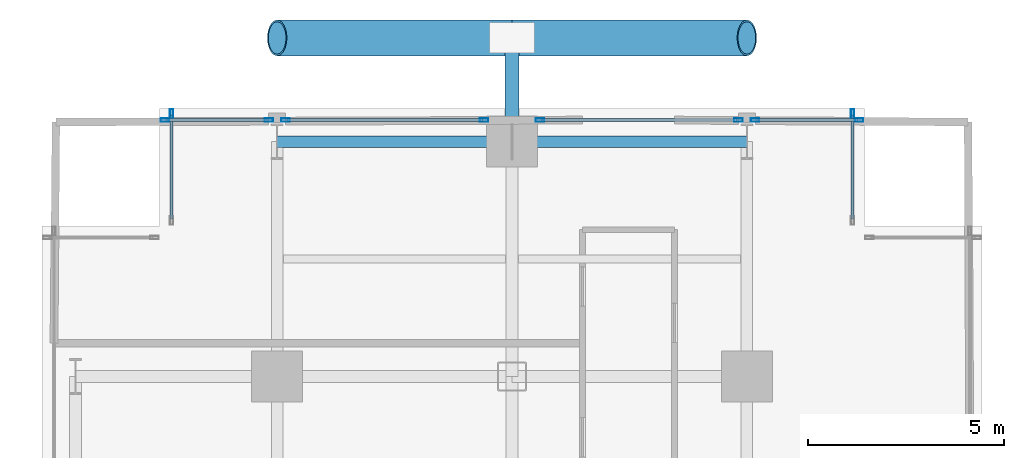
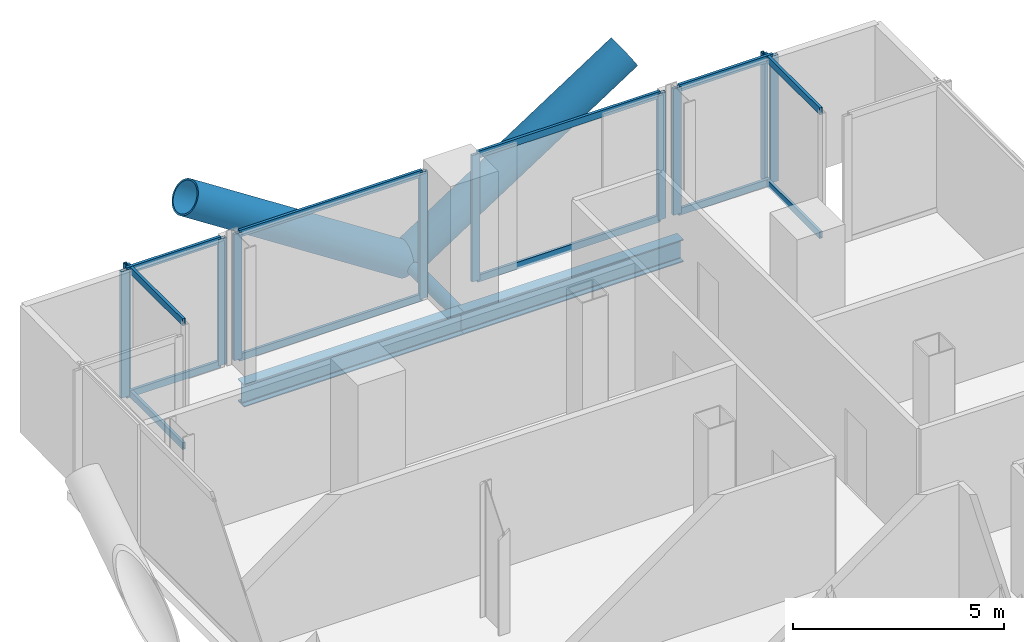
# One storey, part 16 of 25: 25 members, 2 beams, 6 elements without a shape of their own.
"""IFC4 building model written with IfcOpenShell, lengths in metres."""

from ifc_helpers import new_model, si_unit, direction, frame, origin, origin_2d, place, context, subcontext, project, spatial, hollow_rectangle, hollow_circle, i_section, extrude, material, layer, layer_set, material_profile, profile_set, type_object, element, aggregate, save


model = new_model("IFC4")

# Units and contexts
model_context = context("Model", 3, precision=1e-05, world=origin(), true_north=direction((0.0, 1.0)))
body_context = subcontext(model_context, "Body", "Model", "MODEL_VIEW")
ifc_project = project(units=[si_unit("LENGTHUNIT", "METRE"), si_unit("AREAUNIT", "SQUARE_METRE"), si_unit("VOLUMEUNIT", "CUBIC_METRE"), si_unit("PLANEANGLEUNIT", "RADIAN"), si_unit("MASSUNIT", "GRAM", prefix="KILO"), si_unit("THERMODYNAMICTEMPERATUREUNIT", "KELVIN"), si_unit("POWERUNIT", "WATT")], contexts=[model_context])

# Site, building, storey
site_placement = place(None, origin())
site = spatial("IfcSite", under=ifc_project, at=site_placement, CompositionType="ELEMENT")
building_placement = place(site_placement, origin())
building = spatial("IfcBuilding", under=site, at=building_placement, Name="Svarakhadi Broadcast Tower", CompositionType="ELEMENT")
storey_placement = place(building_placement, frame((0.0, 0.0, 67.5)))
storey = spatial("IfcBuildingStorey", under=building, at=storey_placement, Name="L15", CompositionType="ELEMENT", Elevation=67.5)

# Curtain wall, member
ifc_material_1 = material(Name="Anodised Bronze Aluminium AA 6063-T6", Category="aluminium")
ifc_layer = layer(ifc_material_1, 0.219970703125)
ifc_layer_set = layer_set([ifc_layer], Name="Anodised Bronze Aluminium AA 6063-T6")
curtain_wall_type = type_object("IfcCurtainWallType", Name="CW_Sys_02", PredefinedType="NOTDEFINED", material=ifc_layer_set)
curtain_wall_1_placement = place(storey_placement, origin())
curtain_wall_1 = element("IfcCurtainWall", 1, at=curtain_wall_1_placement, inside=storey, type_object=curtain_wall_type, Name="L15 Unitised Facade Curtain Wall 05", PredefinedType="NOTDEFINED")
ifc_material_profile_1 = material_profile(ifc_material_1, hollow_rectangle(XDim=0.0849609375, YDim=0.219970703125, WallThickness=0.006103515625, at=origin_2d()), Name="ALU MULLION 220x85x6")
ifc_profile_set_1 = profile_set([ifc_material_profile_1], Name="Anodised Bronze Aluminium AA 6063-T6")
member_type_1 = type_object("IfcMemberType", Name="CW_Sys_02_Mul", PredefinedType="MULLION", material=ifc_profile_set_1)
member_1_placement = place(storey_placement, frame((3.300048828125, 47.867431640625, 0.0), z_axis=(0.0, 0.0, 1.0), x_axis=(-1.0, 0.0, 0.0)))
member_1 = element("IfcMember", 2, at=member_1_placement, type_object=member_type_1, Name="CW-02 mullion 2", PredefinedType="MULLION", context=body_context, shape_type="SweptSolid", body=[
    extrude(hollow_rectangle(XDim=0.0849609375, YDim=0.219970703125, WallThickness=0.006103515625, at=origin_2d()), origin(), (0.0, 0.0, 1.0), 3.64990234375),
])

# Curtain wall, members
curtain_wall_2_placement = place(storey_placement, origin())
curtain_wall_2 = element("IfcCurtainWall", 3, at=curtain_wall_2_placement, inside=storey, type_object=curtain_wall_type, Name="L15 Unitised Facade Curtain Wall 06 Bay 1", PredefinedType="NOTDEFINED")
member_2_placement = place(storey_placement, frame((3.132568359375, 47.699951171875, 0.0), z_axis=(0.0, 0.0, 1.0), x_axis=(0.0, 1.0, 0.0)))
member_2 = element("IfcMember", 4, at=member_2_placement, type_object=member_type_1, Name="CW-02 mullion 1", PredefinedType="MULLION", context=body_context, shape_type="SweptSolid", body=[
    extrude(hollow_rectangle(XDim=0.0849609375, YDim=0.219970703125, WallThickness=0.006103515625, at=origin_2d()), origin(), (0.0, 0.0, 1.0), 3.64990234375),
])
member_3_placement = place(storey_placement, frame((5.78759765625, 47.699951171875, 0.0), z_axis=(0.0, 0.0, 1.0), x_axis=(0.0, 1.0, 0.0)))
member_3 = element("IfcMember", 5, at=member_3_placement, type_object=member_type_1, Name="CW-02 mullion 2", PredefinedType="MULLION", context=body_context, shape_type="SweptSolid", body=[
    extrude(hollow_rectangle(XDim=0.0849609375, YDim=0.219970703125, WallThickness=0.006103515625, at=origin_2d()), origin(), (0.0, 0.0, 1.0), 3.64990234375),
])

curtain_wall_3_placement = place(storey_placement, origin())
curtain_wall_3 = element("IfcCurtainWall", 6, at=curtain_wall_3_placement, inside=storey, type_object=curtain_wall_type, Name="L15 Unitised Facade Curtain Wall 06 Bay 2", PredefinedType="NOTDEFINED")
member_4_placement = place(storey_placement, frame((6.21240234375, 47.699951171875, 0.0), z_axis=(0.0, 0.0, 1.0), x_axis=(0.0, 1.0, 0.0)))
member_4 = element("IfcMember", 7, at=member_4_placement, type_object=member_type_1, Name="CW-02 mullion 1", PredefinedType="MULLION", context=body_context, shape_type="SweptSolid", body=[
    extrude(hollow_rectangle(XDim=0.0849609375, YDim=0.219970703125, WallThickness=0.006103515625, at=origin_2d()), origin(), (0.0, 0.0, 1.0), 3.64990234375),
])
member_5_placement = place(storey_placement, frame((11.28759765625, 47.699951171875, 0.0), z_axis=(0.0, 0.0, 1.0), x_axis=(0.0, 1.0, 0.0)))
member_5 = element("IfcMember", 8, at=member_5_placement, type_object=member_type_1, Name="CW-02 mullion 2", PredefinedType="MULLION", context=body_context, shape_type="SweptSolid", body=[
    extrude(hollow_rectangle(XDim=0.0849609375, YDim=0.219970703125, WallThickness=0.006103515625, at=origin_2d()), origin(), (0.0, 0.0, 1.0), 3.64990234375),
])

curtain_wall_4_placement = place(storey_placement, origin())
curtain_wall_4 = element("IfcCurtainWall", 9, at=curtain_wall_4_placement, inside=storey, type_object=curtain_wall_type, Name="L15 Unitised Facade Curtain Wall 06 Bay 3", PredefinedType="NOTDEFINED")
member_6_placement = place(storey_placement, frame((12.71240234375, 47.699951171875, 0.0), z_axis=(0.0, 0.0, 1.0), x_axis=(0.0, 1.0, 0.0)))
member_6 = element("IfcMember", 10, at=member_6_placement, type_object=member_type_1, Name="CW-02 mullion 1", PredefinedType="MULLION", context=body_context, shape_type="SweptSolid", body=[
    extrude(hollow_rectangle(XDim=0.0849609375, YDim=0.219970703125, WallThickness=0.006103515625, at=origin_2d()), origin(), (0.0, 0.0, 1.0), 3.64990234375),
])
member_7_placement = place(storey_placement, frame((17.78759765625, 47.699951171875, 0.0), z_axis=(0.0, 0.0, 1.0), x_axis=(0.0, 1.0, 0.0)))
member_7 = element("IfcMember", 11, at=member_7_placement, type_object=member_type_1, Name="CW-02 mullion 2", PredefinedType="MULLION", context=body_context, shape_type="SweptSolid", body=[
    extrude(hollow_rectangle(XDim=0.0849609375, YDim=0.219970703125, WallThickness=0.006103515625, at=origin_2d()), origin(), (0.0, 0.0, 1.0), 3.64990234375),
])

curtain_wall_5_placement = place(storey_placement, origin())
curtain_wall_5 = element("IfcCurtainWall", 12, at=curtain_wall_5_placement, inside=storey, type_object=curtain_wall_type, Name="L15 Unitised Facade Curtain Wall 06 Bay 4", PredefinedType="NOTDEFINED")
member_8_placement = place(storey_placement, frame((18.21240234375, 47.699951171875, 0.0), z_axis=(0.0, 0.0, 1.0), x_axis=(0.0, 1.0, 0.0)))
member_8 = element("IfcMember", 13, at=member_8_placement, type_object=member_type_1, Name="CW-02 mullion 1", PredefinedType="MULLION", context=body_context, shape_type="SweptSolid", body=[
    extrude(hollow_rectangle(XDim=0.0849609375, YDim=0.219970703125, WallThickness=0.006103515625, at=origin_2d()), origin(), (0.0, 0.0, 1.0), 3.64990234375),
])
member_9_placement = place(storey_placement, frame((20.867431640625, 47.699951171875, 0.0), z_axis=(0.0, 0.0, 1.0), x_axis=(0.0, 1.0, 0.0)))
member_9 = element("IfcMember", 14, at=member_9_placement, type_object=member_type_1, Name="CW-02 mullion 2", PredefinedType="MULLION", context=body_context, shape_type="SweptSolid", body=[
    extrude(hollow_rectangle(XDim=0.0849609375, YDim=0.219970703125, WallThickness=0.006103515625, at=origin_2d()), origin(), (0.0, 0.0, 1.0), 3.64990234375),
])

# Curtain wall, member
curtain_wall_6_placement = place(storey_placement, origin())
curtain_wall_6 = element("IfcCurtainWall", 15, at=curtain_wall_6_placement, inside=storey, type_object=curtain_wall_type, Name="L15 Unitised Facade Curtain Wall 07", PredefinedType="NOTDEFINED")
member_10_placement = place(storey_placement, frame((20.699951171875, 47.867431640625, 0.0), z_axis=(0.0, 0.0, 1.0), x_axis=(1.0, 0.0, 0.0)))
member_10 = element("IfcMember", 16, at=member_10_placement, type_object=member_type_1, Name="CW-02 mullion 1", PredefinedType="MULLION", context=body_context, shape_type="SweptSolid", body=[
    extrude(hollow_rectangle(XDim=0.0849609375, YDim=0.219970703125, WallThickness=0.006103515625, at=origin_2d()), origin(), (0.0, 0.0, 1.0), 3.64990234375),
])

# Member
ifc_material_profile_2 = material_profile(ifc_material_1, hollow_rectangle(XDim=0.074951171875, YDim=0.199951171875, WallThickness=0.0048828125, at=origin_2d()), Name="ALU TRANSOM 200x75x5")
ifc_profile_set_2 = profile_set([ifc_material_profile_2], Name="Anodised Bronze Aluminium AA 6063-T6")
member_type_2 = type_object("IfcMemberType", Name="CW_Sys_02_Trn", PredefinedType="USERDEFINED", material=ifc_profile_set_2)
member_11_placement = place(storey_placement, frame((3.300048828125, 45.175048828125, 0.03759765625), z_axis=(0.0, 1.0, 0.0), x_axis=(-1.0, 0.0, 0.0)))
member_11 = element("IfcMember", 17, at=member_11_placement, type_object=member_type_2, Name="CW-02 transom 1.1", ObjectType="TRANSOM", PredefinedType="USERDEFINED", context=body_context, shape_type="SweptSolid", body=[
    extrude(hollow_rectangle(XDim=0.074951171875, YDim=0.199951171875, WallThickness=0.0048828125, at=origin_2d()), origin(), (0.0, 0.0, 1.0), 2.64990234375),
])

member_12_placement = place(storey_placement, frame((3.300048828125, 45.175048828125, 3.612548828125), z_axis=(0.0, 1.0, 0.0), x_axis=(-1.0, 0.0, 0.0)))
member_12 = element("IfcMember", 18, at=member_12_placement, type_object=member_type_2, Name="CW-02 transom 1.2", ObjectType="TRANSOM", PredefinedType="USERDEFINED", context=body_context, shape_type="SweptSolid", body=[
    extrude(hollow_rectangle(XDim=0.074951171875, YDim=0.199951171875, WallThickness=0.0048828125, at=origin_2d()), origin(), (0.0, 0.0, 1.0), 2.64990234375),
])

aggregate(curtain_wall_1, [member_1, member_11, member_12])

member_13_placement = place(storey_placement, frame((3.175048828125, 47.699951171875, 0.03759765625), z_axis=(1.0, 0.0, 0.0), x_axis=(0.0, 1.0, 0.0)))
member_13 = element("IfcMember", 19, at=member_13_placement, type_object=member_type_2, Name="CW-02 transom 1.1", ObjectType="TRANSOM", PredefinedType="USERDEFINED", context=body_context, shape_type="SweptSolid", body=[
    extrude(hollow_rectangle(XDim=0.074951171875, YDim=0.199951171875, WallThickness=0.0048828125, at=origin_2d()), origin(), (0.0, 0.0, 1.0), 2.570068359375),
])

member_14_placement = place(storey_placement, frame((3.175048828125, 47.699951171875, 3.612548828125), z_axis=(1.0, 0.0, 0.0), x_axis=(0.0, 1.0, 0.0)))
member_14 = element("IfcMember", 20, at=member_14_placement, type_object=member_type_2, Name="CW-02 transom 1.2", ObjectType="TRANSOM", PredefinedType="USERDEFINED", context=body_context, shape_type="SweptSolid", body=[
    extrude(hollow_rectangle(XDim=0.074951171875, YDim=0.199951171875, WallThickness=0.0048828125, at=origin_2d()), origin(), (0.0, 0.0, 1.0), 2.570068359375),
])

aggregate(curtain_wall_2, [member_2, member_3, member_13, member_14])

member_15_placement = place(storey_placement, frame((6.2548828125, 47.699951171875, 0.03759765625), z_axis=(1.0, 0.0, 0.0), x_axis=(0.0, 1.0, 0.0)))
member_15 = element("IfcMember", 21, at=member_15_placement, type_object=member_type_2, Name="CW-02 transom 1.1", ObjectType="TRANSOM", PredefinedType="USERDEFINED", context=body_context, shape_type="SweptSolid", body=[
    extrude(hollow_rectangle(XDim=0.074951171875, YDim=0.199951171875, WallThickness=0.0048828125, at=origin_2d()), origin(), (0.0, 0.0, 1.0), 4.990234375),
])

member_16_placement = place(storey_placement, frame((6.2548828125, 47.699951171875, 3.612548828125), z_axis=(1.0, 0.0, 0.0), x_axis=(0.0, 1.0, 0.0)))
member_16 = element("IfcMember", 22, at=member_16_placement, type_object=member_type_2, Name="CW-02 transom 1.2", ObjectType="TRANSOM", PredefinedType="USERDEFINED", context=body_context, shape_type="SweptSolid", body=[
    extrude(hollow_rectangle(XDim=0.074951171875, YDim=0.199951171875, WallThickness=0.0048828125, at=origin_2d()), origin(), (0.0, 0.0, 1.0), 4.990234375),
])

aggregate(curtain_wall_3, [member_4, member_5, member_15, member_16])

member_17_placement = place(storey_placement, frame((12.7548828125, 47.699951171875, 0.03759765625), z_axis=(1.0, 0.0, 0.0), x_axis=(0.0, 1.0, 0.0)))
member_17 = element("IfcMember", 23, at=member_17_placement, type_object=member_type_2, Name="CW-02 transom 1.1", ObjectType="TRANSOM", PredefinedType="USERDEFINED", context=body_context, shape_type="SweptSolid", body=[
    extrude(hollow_rectangle(XDim=0.074951171875, YDim=0.199951171875, WallThickness=0.0048828125, at=origin_2d()), origin(), (0.0, 0.0, 1.0), 4.990234375),
])

member_18_placement = place(storey_placement, frame((12.7548828125, 47.699951171875, 3.612548828125), z_axis=(1.0, 0.0, 0.0), x_axis=(0.0, 1.0, 0.0)))
member_18 = element("IfcMember", 24, at=member_18_placement, type_object=member_type_2, Name="CW-02 transom 1.2", ObjectType="TRANSOM", PredefinedType="USERDEFINED", context=body_context, shape_type="SweptSolid", body=[
    extrude(hollow_rectangle(XDim=0.074951171875, YDim=0.199951171875, WallThickness=0.0048828125, at=origin_2d()), origin(), (0.0, 0.0, 1.0), 4.990234375),
])

aggregate(curtain_wall_4, [member_6, member_7, member_17, member_18])

member_19_placement = place(storey_placement, frame((18.2548828125, 47.699951171875, 0.03759765625), z_axis=(1.0, 0.0, 0.0), x_axis=(0.0, 1.0, 0.0)))
member_19 = element("IfcMember", 25, at=member_19_placement, type_object=member_type_2, Name="CW-02 transom 1.1", ObjectType="TRANSOM", PredefinedType="USERDEFINED", context=body_context, shape_type="SweptSolid", body=[
    extrude(hollow_rectangle(XDim=0.074951171875, YDim=0.199951171875, WallThickness=0.0048828125, at=origin_2d()), origin(), (0.0, 0.0, 1.0), 2.570068359375),
])

member_20_placement = place(storey_placement, frame((18.2548828125, 47.699951171875, 3.612548828125), z_axis=(1.0, 0.0, 0.0), x_axis=(0.0, 1.0, 0.0)))
member_20 = element("IfcMember", 26, at=member_20_placement, type_object=member_type_2, Name="CW-02 transom 1.2", ObjectType="TRANSOM", PredefinedType="USERDEFINED", context=body_context, shape_type="SweptSolid", body=[
    extrude(hollow_rectangle(XDim=0.074951171875, YDim=0.199951171875, WallThickness=0.0048828125, at=origin_2d()), origin(), (0.0, 0.0, 1.0), 2.570068359375),
])

aggregate(curtain_wall_5, [member_8, member_9, member_19, member_20])

member_21_placement = place(storey_placement, frame((20.699951171875, 47.824951171875, 0.03759765625), z_axis=(0.0, -1.0, 0.0), x_axis=(1.0, 0.0, 0.0)))
member_21 = element("IfcMember", 27, at=member_21_placement, type_object=member_type_2, Name="CW-02 transom 1.1", ObjectType="TRANSOM", PredefinedType="USERDEFINED", context=body_context, shape_type="SweptSolid", body=[
    extrude(hollow_rectangle(XDim=0.074951171875, YDim=0.199951171875, WallThickness=0.0048828125, at=origin_2d()), origin(), (0.0, 0.0, 1.0), 2.64990234375),
])

member_22_placement = place(storey_placement, frame((20.699951171875, 47.824951171875, 3.612548828125), z_axis=(0.0, -1.0, 0.0), x_axis=(1.0, 0.0, 0.0)))
member_22 = element("IfcMember", 28, at=member_22_placement, type_object=member_type_2, Name="CW-02 transom 1.2", ObjectType="TRANSOM", PredefinedType="USERDEFINED", context=body_context, shape_type="SweptSolid", body=[
    extrude(hollow_rectangle(XDim=0.074951171875, YDim=0.199951171875, WallThickness=0.0048828125, at=origin_2d()), origin(), (0.0, 0.0, 1.0), 2.64990234375),
])

aggregate(curtain_wall_6, [member_10, member_21, member_22])

# Members
ifc_material_2 = material(Name="Steel S460ML (IS 2062 E450BR)", Category="steel")
ifc_material_profile_3 = material_profile(ifc_material_2, hollow_circle(Radius=0.45703125, WallThickness=0.044921875, at=origin_2d()), Name="CHS 914x45")
ifc_profile_set_3 = profile_set([ifc_material_profile_3], Name="Steel S460ML (IS 2062 E450BR)")
member_type_3 = type_object("IfcMemberType", Name="Exo_Brace_CHS914", PredefinedType="BRACE", material=ifc_profile_set_3)
for number, where, z_axis, x_axis, name in (
    (29, (12.0, 49.800048828125, -0.427734375), (-0.838449851971, 0.0, 0.544978757136), (0.0, -1.0, 0.0), "L15 Exposed Bronze Exoskeleton Diagonal N10"),
    (30, (12.0, 49.800048828125, -0.427734375), (0.838449851971, 0.0, 0.544978757136), (0.0, 1.0, 0.0), "L15 Exposed Bronze Exoskeleton Diagonal N11"),
):
    element("IfcMember", number, at=place(storey_placement, frame(where, z_axis=z_axis, x_axis=x_axis)), inside=storey, type_object=member_type_3, Name=name, PredefinedType="BRACE", context=body_context, shape_type="SweptSolid", body=[
        extrude(hollow_circle(Radius=0.45703125, WallThickness=0.044921875, at=origin_2d()), origin(), (0.0, 0.0, 1.0), 7.156005859375),
    ])
ifc_material_profile_4 = material_profile(ifc_material_2, hollow_circle(Radius=0.177734375, WallThickness=0.02001953125, at=origin_2d()), Name="CHS 355.6x20")
ifc_profile_set_4 = profile_set([ifc_material_profile_4], Name="Steel S460ML (IS 2062 E450BR)")
member_type_4 = type_object("IfcMemberType", Name="Exo_Radial_Strut_Z1", PredefinedType="STRUT", material=ifc_profile_set_4)
member_23_placement = place(storey_placement, frame((12.0, 49.800048828125, -0.427734375), z_axis=(0.0, -1.0, 0.0), x_axis=(1.0, 0.0, 0.0)))
element("IfcMember", 31, at=member_23_placement, inside=storey, type_object=member_type_4, Name="L15 Exoskeleton Radial Tie Strut N07", PredefinedType="STRUT", context=body_context, shape_type="SweptSolid", body=[
    extrude(hollow_circle(Radius=0.177734375, WallThickness=0.02001953125, at=origin_2d()), origin(), (0.0, 0.0, 1.0), 2.650146484375),
])

# Beams
ifc_material_3 = material(Name="Steel S355J2 (IS 2062 E350C)", Category="steel")
ifc_material_profile_5 = material_profile(ifc_material_3, i_section(OverallWidth=0.300048828125, OverallDepth=0.64990234375, WebThickness=0.01611328125, FlangeThickness=0.031005859375, FilletRadius=0.027099609375, at=origin_2d()), Name="WPB 650x300x225")
ifc_profile_set_5 = profile_set([ifc_material_profile_5], Name="Steel S355J2 (IS 2062 E350C)")
beam_type = type_object("IfcBeamType", Name="Girder_WPB650", PredefinedType="USERDEFINED", material=ifc_profile_set_5)
for number, where, z_axis, x_axis, name in (
    (32, (6.0, 47.14990234375, -0.574951171875), (1.0, 0.0, 0.0), (0.0, 1.0, 0.0), "L15 Primary E-W Girder G043"),
    (33, (12.0, 47.14990234375, -0.574951171875), (1.0, 0.0, 0.0), (0.0, 1.0, 0.0), "L15 Primary E-W Girder G044"),
):
    element("IfcBeam", number, at=place(storey_placement, frame(where, z_axis=z_axis, x_axis=x_axis)), inside=storey, type_object=beam_type, Name=name, ObjectType="GIRDER", PredefinedType="USERDEFINED", context=body_context, shape_type="SweptSolid", body=[
        extrude(i_section(OverallWidth=0.300048828125, OverallDepth=0.64990234375, WebThickness=0.01611328125, FlangeThickness=0.031005859375, FilletRadius=0.027099609375, at=origin_2d()), origin(), (0.0, 0.0, 1.0), 6.0),
    ])

save(model, "model.ifc")
